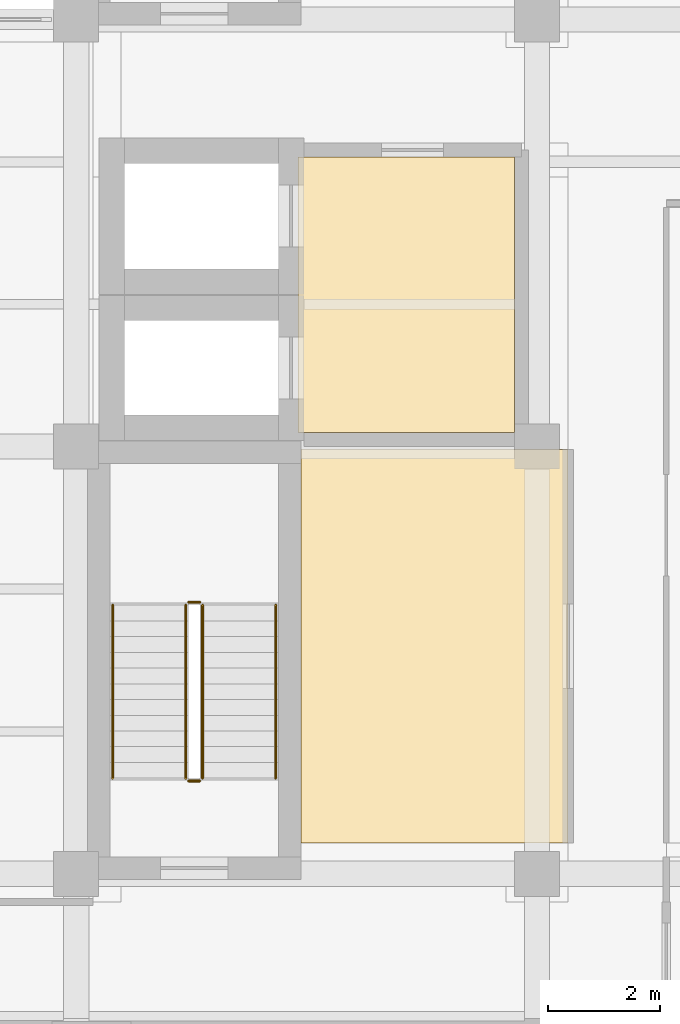
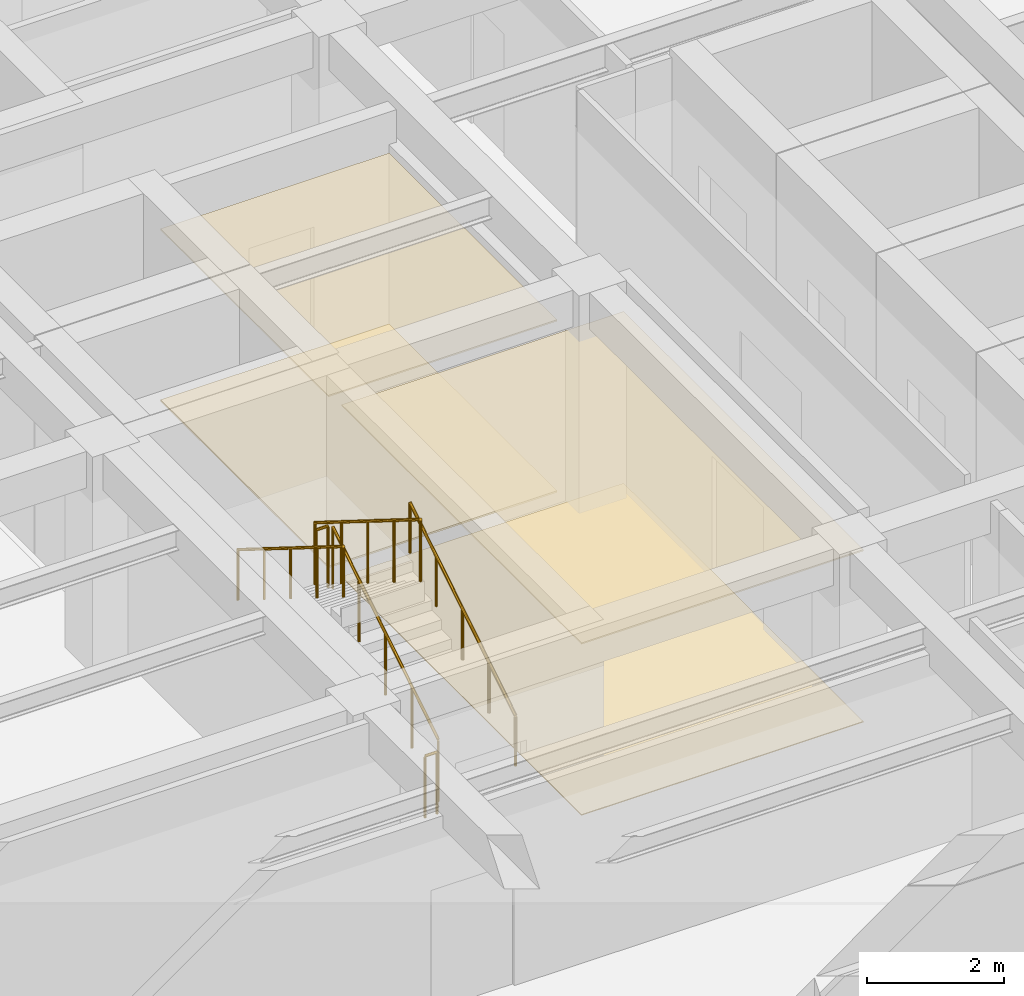
# One storey, part 12 of 15: 6 railings, 4 coverings.
"""IFC4 building model written with IfcOpenShell, lengths in metres."""

import ifcopenshell
import ifcopenshell.guid

model = None  # the IFC model being written
_history = None  # IfcOwnerHistory: only IFC2X3 demands one
_inside = {}  # id of a spatial element -> (the spatial element, [elements in it])
_under = {}  # id of a project, library or spatial element -> (it, [spatial elements below it])
_declared = {}  # id of a project -> (the project, [libraries it declares])
_typed = {}  # id of a type object -> (the type object, [elements of that type])
_made_of = {}  # id of a material, layer set ... -> (it, [elements and type objects made of it])


def new_model(schema):
    """Start an empty IFC model of exactly this schema.

    Asked for "IFC4X3", IfcOpenShell would pick the latest addendum, in which some entities
    have other attributes; the version numbers below select the first issue.
    IFC2X3 requires an IfcOwnerHistory on every rooted entity: one is made here for all.
    """
    global model, _history
    if schema == "IFC4X3":
        model = ifcopenshell.file(schema_version=(4, 3, 0, 0))
    else:
        model = ifcopenshell.file(schema=schema)
    _inside.clear()
    _under.clear()
    _declared.clear()
    _typed.clear()
    _made_of.clear()
    _history = None
    if model.schema == "IFC2X3":
        org = make("IfcOrganization", Name="unknown")
        user = make(
            "IfcPersonAndOrganization",
            ThePerson=make("IfcPerson", FamilyName="unknown"),
            TheOrganization=org,
        )
        app = make(
            "IfcApplication",
            ApplicationDeveloper=org,
            Version="unknown",
            ApplicationFullName="unknown",
            ApplicationIdentifier="unknown",
        )
        _history = make(
            "IfcOwnerHistory",
            OwningUser=user,
            OwningApplication=app,
            ChangeAction="ADDED",
            CreationDate=0,
        )
    return model


def make(cls, **values):
    """One entity of the class cls with the attributes given. An attribute that is None is left unset."""
    return model.create_entity(
        cls, **{name: value for name, value in values.items() if value is not None}
    )


def rooted(cls, **values):
    """An entity with a GlobalId (a new one), such as an element, a storey or a relation."""
    return make(cls, GlobalId=ifcopenshell.guid.new(), OwnerHistory=_history, **values)


def si_unit(unit_type, name, prefix=None):
    """IfcSIUnit, for example si_unit("LENGTHUNIT", "METRE", prefix="MILLI")."""
    return make("IfcSIUnit", UnitType=unit_type, Prefix=prefix, Name=name)


def assignment(units):
    """IfcUnitAssignment: the units of a project."""
    return None if units is None else make("IfcUnitAssignment", Units=units)


def point(xyz):
    """IfcCartesianPoint."""
    return None if xyz is None else make("IfcCartesianPoint", Coordinates=xyz)


def direction(xyz):
    """IfcDirection."""
    return None if xyz is None else make("IfcDirection", DirectionRatios=xyz)


def frame(location, z_axis=None, x_axis=None):
    """IfcAxis2Placement3D, a coordinate frame: its origin and axes. An axis left out is left unset."""
    return make(
        "IfcAxis2Placement3D",
        Location=point(location),
        Axis=direction(z_axis),
        RefDirection=direction(x_axis),
    )


def frame_2d(location, x_axis=None):
    """IfcAxis2Placement2D, a coordinate frame in the plane: its origin and x axis."""
    return make(
        "IfcAxis2Placement2D", Location=point(location), RefDirection=direction(x_axis)
    )


def origin():
    """The frame at (0, 0, 0) with its axes left unset."""
    return frame((0.0, 0.0, 0.0))


def origin_2d():
    """The frame at (0, 0) in the plane with its x axis left unset."""
    return frame_2d((0.0, 0.0))


def place(relative_to, where):
    """IfcLocalPlacement: puts the frame where relative to a parent placement (None: the world)."""
    return make(
        "IfcLocalPlacement", PlacementRelTo=relative_to, RelativePlacement=where
    )


def context(
    kind, dimensions, precision=None, world=None, true_north=None, identifier=None
):
    """IfcGeometricRepresentationContext, for example the 3D "Model" context."""
    return make(
        "IfcGeometricRepresentationContext",
        ContextIdentifier=identifier,
        ContextType=kind,
        CoordinateSpaceDimension=dimensions,
        Precision=precision,
        WorldCoordinateSystem=world,
        TrueNorth=true_north,
    )


def subcontext(parent, identifier, kind, view, scale=None):
    """IfcGeometricRepresentationSubContext, for example "Body" below "Model"."""
    return make(
        "IfcGeometricRepresentationSubContext",
        ContextIdentifier=identifier,
        ContextType=kind,
        ParentContext=parent,
        TargetScale=scale,
        TargetView=view,
    )


def project(units=None, contexts=None):
    """IfcProject with its units and contexts."""
    return rooted(
        "IfcProject",
        Name="project",
        RepresentationContexts=contexts,
        UnitsInContext=assignment(units),
    )


def spatial(cls, under=None, at=None, **own):
    """A site, building, storey or space (cls), placed at a placement, below another one or the project."""
    s = rooted(cls, ObjectPlacement=at, **own)
    if under is not None:
        _under.setdefault(under.id(), (under, []))[1].append(s)
    return s


def polyline(points):
    """IfcPolyline through the points."""
    return make("IfcPolyline", Points=[point(p) for p in points])


def profile(cls, at=None, kind="AREA", **sizes):
    """A parametric profile (cls). Its sizes go by their IFC names, for example OverallWidth=200.0."""
    return make(cls, ProfileType=kind, Position=at, **sizes)


def circle(**sizes):
    """IfcCircleProfileDef."""
    return profile("IfcCircleProfileDef", **sizes)


def outline(outer, holes=None, kind="AREA"):
    """IfcArbitraryClosedProfileDef: a profile drawn as a closed curve; with holes, ...WithVoids."""
    if holes is None:
        return make("IfcArbitraryClosedProfileDef", ProfileType=kind, OuterCurve=outer)
    return make(
        "IfcArbitraryProfileDefWithVoids",
        ProfileType=kind,
        OuterCurve=outer,
        InnerCurves=holes,
    )


def extrude(swept, where, along, depth):
    """IfcExtrudedAreaSolid: the profile swept, set in the frame where, extruded along a direction by depth."""
    return make(
        "IfcExtrudedAreaSolid",
        SweptArea=swept,
        Position=where,
        ExtrudedDirection=direction(along),
        Depth=depth,
    )


def shape(context_of_items, identifier, shape_type, items):
    """IfcShapeRepresentation: the items that make up one representation, for example the "Body"."""
    return make(
        "IfcShapeRepresentation",
        ContextOfItems=context_of_items,
        RepresentationIdentifier=identifier,
        RepresentationType=shape_type,
        Items=items,
    )


def material(Name=None, Category=None):
    """IfcMaterial."""
    return make("IfcMaterial", Name=Name, Category=Category)


def layer(
    of_material, thickness, ventilated=None, Name=None, Category=None, Priority=None
):
    """IfcMaterialLayer: one layer of a wall or slab, of a material (None: an air gap)."""
    return make(
        "IfcMaterialLayer",
        Material=of_material,
        LayerThickness=thickness,
        IsVentilated=ventilated,
        Name=Name,
        Category=Category,
        Priority=Priority,
    )


def layer_set(layers, Name=None):
    """IfcMaterialLayerSet."""
    return make("IfcMaterialLayerSet", MaterialLayers=layers, LayerSetName=Name)


def made_of(thing, what):
    """Note that an element or type object is made of a material, layer set ...; save() writes the relation."""
    if what is not None:
        _made_of.setdefault(what.id(), (what, []))[1].append(thing)
    return thing


def type_object(cls, material=None, **own):
    """A type object (cls), such as IfcWallType, which elements share."""
    return made_of(rooted(cls, **own), material)


def element(
    cls,
    number,
    at=None,
    inside=None,
    cuts=None,
    type_object=None,
    material=None,
    context=None,
    identifier="Body",
    shape_type=None,
    held_by="IfcProductDefinitionShape",
    body=None,
    shapes=None,
    **own,
):
    """One element of the class cls, such as IfcWall. Its Tag is "e" and its number.

    at: its placement. inside: the storey or other place that contains it. cuts: it is an
    opening in that element (IfcRelVoidsElement). A single representation is given by context,
    identifier, shape_type and body (its items); several are given by shapes. held_by: the class
    of the entity that holds the representations. save() writes the other relations.
    """
    e = rooted(cls, Tag="e%d" % number, ObjectPlacement=at, **own)
    if body is not None:
        shapes = [shape(context, identifier, shape_type, body)]
    if shapes is not None:
        e.Representation = make(held_by, Representations=shapes)
    if inside is not None:
        _inside.setdefault(inside.id(), (inside, []))[1].append(e)
    if cuts is not None:
        rooted(
            "IfcRelVoidsElement", RelatingBuildingElement=cuts, RelatedOpeningElement=e
        )
    if type_object is not None:
        _typed.setdefault(type_object.id(), (type_object, []))[1].append(e)
    return made_of(e, material)


def aggregate(whole, parts):
    """IfcRelAggregates: a whole, such as a stair, and the parts it consists of."""
    return rooted("IfcRelAggregates", RelatingObject=whole, RelatedObjects=parts)


def save(model, path):
    """Write the relations noted so far, then the file.

    IfcRelAggregates (storeys below a building ...), IfcRelContainedInSpatialStructure (elements
    in a storey), IfcRelDefinesByType, IfcRelAssociatesMaterial and IfcRelDeclares: one each for
    every whole, place, type object, material and project.
    """
    for whole, parts in _under.values():
        aggregate(whole, parts)
    for where, things in _inside.values():
        rooted(
            "IfcRelContainedInSpatialStructure",
            RelatedElements=things,
            RelatingStructure=where,
        )
    for kind, things in _typed.values():
        rooted("IfcRelDefinesByType", RelatedObjects=things, RelatingType=kind)
    for what, things in _made_of.values():
        rooted("IfcRelAssociatesMaterial", RelatedObjects=things, RelatingMaterial=what)
    for by, libraries in _declared.values():
        rooted("IfcRelDeclares", RelatingContext=by, RelatedDefinitions=libraries)
    model.write(path)


model = new_model("IFC4")

# Units and contexts
model_context = context("Model", 3, precision=1e-05, world=origin(), true_north=direction((0.0, 1.0)))
body_context = subcontext(model_context, "Body", "Model", "MODEL_VIEW")
ifc_project = project(units=[si_unit("LENGTHUNIT", "METRE"), si_unit("AREAUNIT", "SQUARE_METRE"), si_unit("VOLUMEUNIT", "CUBIC_METRE"), si_unit("PLANEANGLEUNIT", "RADIAN"), si_unit("MASSUNIT", "GRAM", prefix="KILO")], contexts=[model_context])

# Site, building, storey
site_placement = place(None, origin())
site = spatial("IfcSite", under=ifc_project, at=site_placement, CompositionType="ELEMENT")
building_placement = place(site_placement, origin())
building = spatial("IfcBuilding", under=site, at=building_placement, Name="Qandaris Square Conservatory and Botanical Centre", CompositionType="ELEMENT")
storey_placement = place(building_placement, frame((0.0, 0.0, 32.39990234375)))
storey = spatial("IfcBuildingStorey", under=building, at=storey_placement, Name="L07", CompositionType="ELEMENT", Elevation=32.39990234375)

# Coverings
ifc_material_1 = material(Name="Honed Qatari Limestone", Category="masonry")
ifc_layer_1 = layer(ifc_material_1, 0.030029296875)
ifc_layer_set_1 = layer_set([ifc_layer_1], Name="Honed Qatari Limestone")
covering_type_1 = type_object("IfcCoveringType", Name="Honed Qatari Limestone Concourse Paving", PredefinedType="FLOORING", material=ifc_layer_set_1)
covering_1_placement = place(storey_placement, origin())
element("IfcCovering", 1, at=covering_1_placement, inside=storey, type_object=covering_type_1, Name="Firefighting Lift Lobby L07 Flooring", PredefinedType="FLOORING", context=body_context, shape_type="SweptSolid", body=[
    extrude(outline(polyline([(143.14990234375, 36.949951171875), (147.0, 36.949951171875), (147.0, 32.050048828125), (143.14990234375, 32.050048828125), (143.14990234375, 36.949951171875)])), origin(), (0.0, 0.0, 1.0), 0.030029296875),
])
ifc_material_2 = material(Name="Gypsum Plasterboard", Category="gypsum")
ifc_layer_2 = layer(ifc_material_2, 0.02490234375)
ifc_layer_set_2 = layer_set([ifc_layer_2], Name="Gypsum Plasterboard")
covering_type_2 = type_object("IfcCoveringType", Name="Perforated Acoustic Lab Ceiling Tile", PredefinedType="CEILING", material=ifc_layer_set_2)
covering_2_placement = place(storey_placement, frame((0.0, 0.0, 3.050048828125)))
element("IfcCovering", 2, at=covering_2_placement, inside=storey, type_object=covering_type_2, Name="Firefighting Lift Lobby L07 Ceiling", PredefinedType="CEILING", context=body_context, shape_type="SweptSolid", body=[
    extrude(outline(polyline([(143.14990234375, 36.949951171875), (147.0, 36.949951171875), (147.0, 32.050048828125), (143.14990234375, 32.050048828125), (143.14990234375, 36.949951171875)])), origin(), (0.0, 0.0, 1.0), 0.025146484375),
])
covering_3_placement = place(storey_placement, frame((0.0, 0.0, 3.050048828125)))
element("IfcCovering", 3, at=covering_3_placement, inside=storey, type_object=covering_type_2, Name="Electrical and Telecom Riser Room L07 Ceiling", PredefinedType="CEILING", context=body_context, shape_type="SweptSolid", body=[
    extrude(outline(polyline([(147.949951171875, 31.75), (147.949951171875, 24.75), (143.199951171875, 24.75), (143.199951171875, 31.75), (147.949951171875, 31.75)])), origin(), (0.0, 0.0, 1.0), 0.025146484375),
])
ifc_material_3 = material(Name="Epoxy Resin Screed", Category="finish")
ifc_layer_3 = layer(ifc_material_3, 0.014892578125)
ifc_layer_set_3 = layer_set([ifc_layer_3], Name="Epoxy Resin Screed")
covering_type_3 = type_object("IfcCoveringType", Name="Seamless Epoxy Laboratory Flooring", PredefinedType="FLOORING", material=ifc_layer_set_3)
covering_4_placement = place(storey_placement, origin())
element("IfcCovering", 4, at=covering_4_placement, inside=storey, type_object=covering_type_3, Name="Electrical and Telecom Riser Room L07 Flooring", PredefinedType="FLOORING", context=body_context, shape_type="SweptSolid", body=[
    extrude(outline(polyline([(147.949951171875, 31.75), (147.949951171875, 24.75), (143.199951171875, 24.75), (143.199951171875, 31.75), (147.949951171875, 31.75)])), origin(), (0.0, 0.0, 1.0), 0.01513671875),
])

# Railings
ifc_material_4 = material(Name="Stainless Steel", Category="steel")
railing_type_1 = type_object("IfcRailingType", Name="Stair Tubular Handrail 920mm", PredefinedType="HANDRAIL", material=ifc_material_4)
railing_1_placement = place(storey_placement, frame((142.75, 25.89990234375, 0.35009765625)))
element("IfcRailing", 5, at=railing_1_placement, inside=storey, type_object=railing_type_1, Name="L07 ST-1 stair handrail 1", PredefinedType="HANDRAIL", context=body_context, shape_type="SweptSolid", body=[
    extrude(circle(Radius=0.02392578125, at=origin_2d()), frame((0.0, 0.0, 0.89599609375), z_axis=(0.0, 0.847998304005, 0.529998940003), x_axis=(-1.0, 0.0, 0.0)), (0.0, 0.0, 1.0), 3.632080078125),
    extrude(circle(Radius=0.02099609375, at=origin_2d()), origin(), (0.0, 0.0, 1.0), 0.871826171875),
    extrude(circle(Radius=0.02099609375, at=origin_2d()), frame((0.0, 0.77001953125, 0.481201171875)), (0.0, 0.0, 1.0), 0.871826171875),
    extrude(circle(Radius=0.02099609375, at=origin_2d()), frame((0.0, 1.5400390625, 0.96240234375)), (0.0, 0.0, 1.0), 0.871826171875),
    extrude(circle(Radius=0.02099609375, at=origin_2d()), frame((0.0, 2.31005859375, 1.44384765625)), (0.0, 0.0, 1.0), 0.871826171875),
    extrude(circle(Radius=0.02099609375, at=origin_2d()), frame((0.0, 3.080078125, 1.925048828125)), (0.0, 0.0, 1.0), 0.871826171875),
])
railing_2_placement = place(storey_placement, frame((139.85009765625, 28.97998046875, 2.4501953125)))
element("IfcRailing", 6, at=railing_2_placement, inside=storey, type_object=railing_type_1, Name="L07 ST-1 stair handrail 2", PredefinedType="HANDRAIL", context=body_context, shape_type="SweptSolid", body=[
    extrude(circle(Radius=0.02392578125, at=origin_2d()), frame((0.0, 0.0, 0.89599609375), z_axis=(0.0, -0.848028513186, 0.529950602248), x_axis=(1.0, 0.0, 0.0)), (0.0, 0.0, 1.0), 3.632080078125),
    extrude(circle(Radius=0.02099609375, at=origin_2d()), origin(), (0.0, 0.0, 1.0), 0.871826171875),
    extrude(circle(Radius=0.02099609375, at=origin_2d()), frame((0.0, -0.77001953125, 0.481201171875)), (0.0, 0.0, 1.0), 0.871826171875),
    extrude(circle(Radius=0.02099609375, at=origin_2d()), frame((0.0, -1.5400390625, 0.96240234375)), (0.0, 0.0, 1.0), 0.871826171875),
    extrude(circle(Radius=0.02099609375, at=origin_2d()), frame((0.0, -2.31005859375, 1.443603515625)), (0.0, 0.0, 1.0), 0.871826171875),
    extrude(circle(Radius=0.02099609375, at=origin_2d()), frame((0.0, -3.080078125, 1.9248046875)), (0.0, 0.0, 1.0), 0.871826171875),
])
railing_type_2 = type_object("IfcRailingType", Name="Stairwell & Atrium Guardrail 1120mm", PredefinedType="GUARDRAIL", material=ifc_material_4)
railing_3_placement = place(storey_placement, frame((141.449951171875, 25.89990234375, 0.175048828125)))
element("IfcRailing", 7, at=railing_3_placement, inside=storey, type_object=railing_type_2, Name="L07 ST-1 stair guard 1", PredefinedType="GUARDRAIL", context=body_context, shape_type="SweptSolid", body=[
    extrude(circle(Radius=0.02392578125, at=origin_2d()), frame((0.0, 0.0, 1.09619140625), z_axis=(0.0, 0.847998304005, 0.529998940003), x_axis=(-1.0, 0.0, 0.0)), (0.0, 0.0, 1.0), 3.632080078125),
    extrude(circle(Radius=0.02099609375, at=origin_2d()), origin(), (0.0, 0.0, 1.0), 1.072021484375),
    extrude(circle(Radius=0.02099609375, at=origin_2d()), frame((0.0, 0.77001953125, 0.481201171875)), (0.0, 0.0, 1.0), 1.072021484375),
    extrude(circle(Radius=0.02099609375, at=origin_2d()), frame((0.0, 1.5400390625, 0.96240234375)), (0.0, 0.0, 1.0), 1.072021484375),
    extrude(circle(Radius=0.02099609375, at=origin_2d()), frame((0.0, 2.31005859375, 1.44384765625)), (0.0, 0.0, 1.0), 1.072021484375),
    extrude(circle(Radius=0.02099609375, at=origin_2d()), frame((0.0, 3.080078125, 1.925048828125)), (0.0, 0.0, 1.0), 1.072021484375),
])
railing_4_placement = place(storey_placement, frame((141.39990234375, 29.030029296875, 2.10009765625)))
element("IfcRailing", 8, at=railing_4_placement, inside=storey, type_object=railing_type_2, Name="L07 ST-1 stair guard 2", PredefinedType="GUARDRAIL", context=body_context, shape_type="SweptSolid", body=[
    extrude(circle(Radius=0.02392578125, at=origin_2d()), frame((0.0, 0.0, 1.09619140625), z_axis=(-1.0, 0.0, 0.0), x_axis=(0.0, -1.0, 0.0)), (0.0, 0.0, 1.0), 0.199951171875),
    extrude(circle(Radius=0.02099609375, at=origin_2d()), origin(), (0.0, 0.0, 1.0), 1.072021484375),
    extrude(circle(Radius=0.02099609375, at=origin_2d()), frame((-0.199951171875, 0.0, 0.0)), (0.0, 0.0, 1.0), 1.072021484375),
])
railing_5_placement = place(storey_placement, frame((141.14990234375, 28.97998046875, 2.275146484375)))
element("IfcRailing", 9, at=railing_5_placement, inside=storey, type_object=railing_type_2, Name="L07 ST-1 stair guard 3", PredefinedType="GUARDRAIL", context=body_context, shape_type="SweptSolid", body=[
    extrude(circle(Radius=0.02392578125, at=origin_2d()), frame((0.0, 0.0, 1.09619140625), z_axis=(0.0, -0.847998304005, 0.529998940003), x_axis=(1.0, 0.0, 0.0)), (0.0, 0.0, 1.0), 3.632080078125),
    extrude(circle(Radius=0.02099609375, at=origin_2d()), origin(), (0.0, 0.0, 1.0), 1.072021484375),
    extrude(circle(Radius=0.02099609375, at=origin_2d()), frame((0.0, -0.77001953125, 0.481201171875)), (0.0, 0.0, 1.0), 1.072021484375),
    extrude(circle(Radius=0.02099609375, at=origin_2d()), frame((0.0, -1.5400390625, 0.96240234375)), (0.0, 0.0, 1.0), 1.072021484375),
    extrude(circle(Radius=0.02099609375, at=origin_2d()), frame((0.0, -2.31005859375, 1.44384765625)), (0.0, 0.0, 1.0), 1.072021484375),
    extrude(circle(Radius=0.02099609375, at=origin_2d()), frame((0.0, -3.080078125, 1.925048828125)), (0.0, 0.0, 1.0), 1.072021484375),
])
railing_6_placement = place(storey_placement, frame((141.39990234375, 25.85009765625, 0.0)))
element("IfcRailing", 10, at=railing_6_placement, inside=storey, type_object=railing_type_2, Name="L07 ST-1 stair guard 4", PredefinedType="GUARDRAIL", context=body_context, shape_type="SweptSolid", body=[
    extrude(circle(Radius=0.02392578125, at=origin_2d()), frame((0.0, 0.0, 1.09619140625), z_axis=(-1.0, 0.0, 0.0), x_axis=(0.0, -1.0, 0.0)), (0.0, 0.0, 1.0), 0.199951171875),
    extrude(circle(Radius=0.02099609375, at=origin_2d()), origin(), (0.0, 0.0, 1.0), 1.072021484375),
    extrude(circle(Radius=0.02099609375, at=origin_2d()), frame((-0.199951171875, 0.0, 0.0)), (0.0, 0.0, 1.0), 1.072021484375),
])

save(model, "model.ifc")
